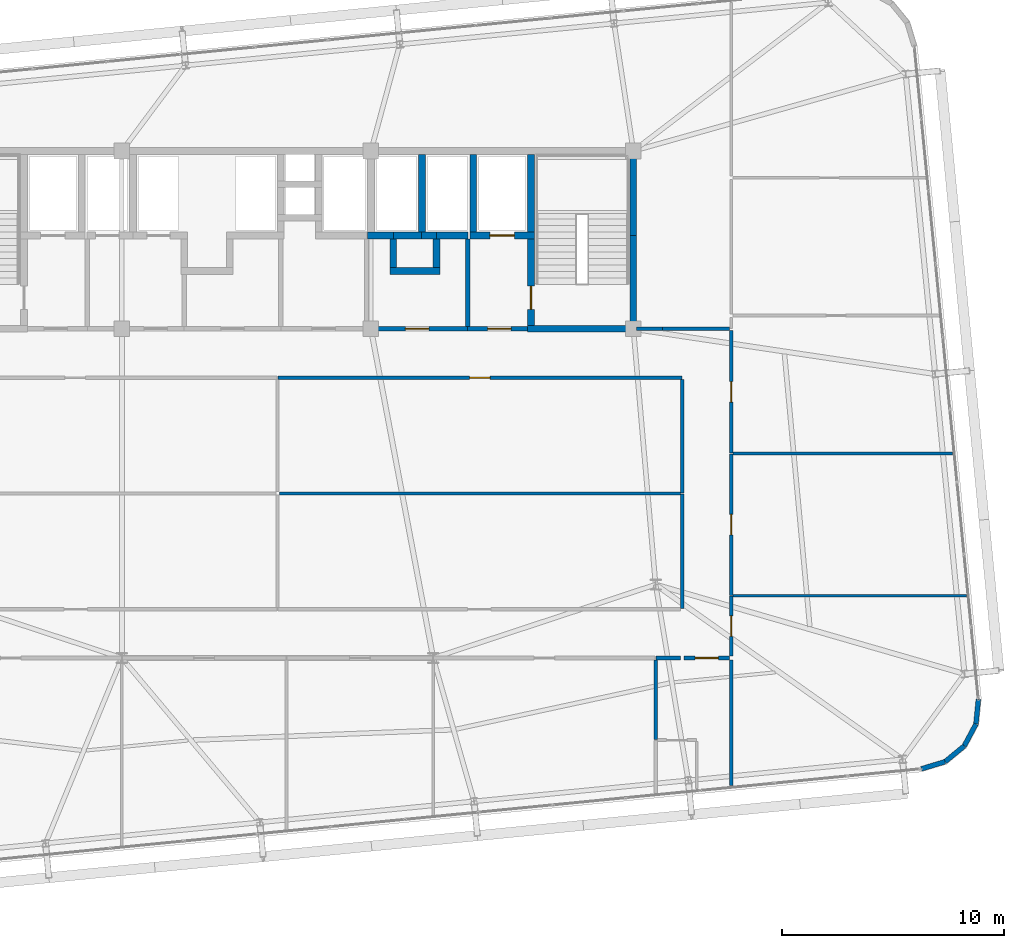
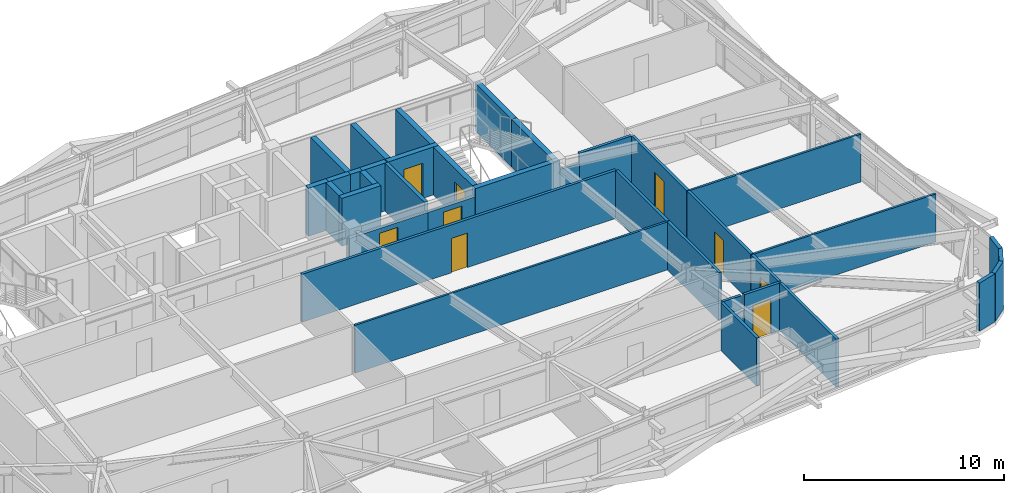
# One storey, part 48 of 52: 37 walls, 9 doors, 9 openings.
"""IFC4 building model written with IfcOpenShell, lengths in metres."""

from ifc_helpers import new_model, si_unit, direction, frame, frame_2d, origin, place, context, subcontext, project, spatial, rectangle, extrude, source, transform, mapped, material, layer, layer_set, type_object, element, fill, save


model = new_model("IFC4")

# Units and contexts
model_context = context("Model", 3, precision=1e-05, world=origin(), true_north=direction((0.0, 1.0)))
body_context = subcontext(model_context, "Body", "Model", "MODEL_VIEW")
ifc_project = project(units=[si_unit("LENGTHUNIT", "METRE"), si_unit("AREAUNIT", "SQUARE_METRE"), si_unit("VOLUMEUNIT", "CUBIC_METRE"), si_unit("PLANEANGLEUNIT", "RADIAN"), si_unit("MASSUNIT", "GRAM", prefix="KILO")], contexts=[model_context])

# Site, building, storey
site_placement = place(None, origin())
site = spatial("IfcSite", under=ifc_project, at=site_placement, CompositionType="ELEMENT")
building_placement = place(site_placement, origin())
building = spatial("IfcBuilding", under=site, at=building_placement, Name="Taldren Reach Tower", CompositionType="ELEMENT")
storey_placement = place(building_placement, frame((0.0, 0.0, 77.699951171875)))
storey = spatial("IfcBuildingStorey", under=building, at=storey_placement, Name="L23", CompositionType="ELEMENT", Elevation=77.699951171875)

# Walls
ifc_material_1 = material(Name="Pale Champagne Anodised Aluminium Cladding", Category="aluminium")
ifc_layer_1 = layer(ifc_material_1, 0.04, Name="Pale Champagne Anodised Aluminium Cladding", Category="aluminium")
ifc_material_2 = material(Name="Mineral Wool Acoustic Insulation", Category="insulation")
ifc_layer_2 = layer(ifc_material_2, 0.06, Name="Mineral Wool Acoustic Insulation", Category="insulation")
ifc_material_3 = material(Name="Steel Gr 350 (C350L0)", Category="steel")
ifc_layer_3 = layer(ifc_material_3, 0.12, Name="Steel Gr 350 (C350L0)", Category="steel")
ifc_layer_set_1 = layer_set([ifc_layer_1, ifc_layer_2, ifc_layer_3], Name="Pale Champagne Aluminium Cladding and Steel Gr 350 Stud Framing")
wall_type_1 = type_object("IfcWallType", Name="EW-CRN-220", PredefinedType="SOLIDWALL", material=ifc_layer_set_1)
shared_shape_1 = source(origin(), body_context, "Body", "SweptSolid", [
    extrude(rectangle(XDim=1.115966796875, YDim=0.219970703125, at=frame_2d((0.55810546875, 0.0))), origin(), (0.0, 0.0, 1.0), 2.929931640625),
])
for number, where, z_axis, x_axis, name in (
    (1, (65.01708984375, 4.537109375, 0.0), (0.0, 0.0, 1.0), (0.773342870285, 0.633988016432, 0.0), "Rounded-corner pale-metal facade wall L23-SE2"),
    (2, (66.406494140625, 6.228515625, 0.0), (0.0, 0.0, 1.0), (0.09844234778, 0.995142755671, 0.0), "Rounded-corner pale-metal facade wall L23-SE4"),
):
    element("IfcWall", number, at=place(storey_placement, frame(where, z_axis=z_axis, x_axis=x_axis)), inside=storey, type_object=wall_type_1, Name=name, PredefinedType="SOLIDWALL", context=body_context, shape_type="MappedRepresentation", body=[
        mapped(shared_shape_1, transform((0.0, 0.0, 0.0), scale=1.0)),
    ])
shared_shape_2 = source(origin(), body_context, "Body", "SweptSolid", [
    extrude(rectangle(XDim=1.11572265625, YDim=0.219970703125, at=frame_2d((0.557861328125, 0.0))), origin(), (0.0, 0.0, 1.0), 2.929931640625),
])
for number, where, z_axis, x_axis, name in (
    (3, (63.94921875, 4.213623046875, 0.0), (0.0, 0.0, 1.0), (0.957052003726, 0.289916301997, 0.0), "Rounded-corner pale-metal facade wall L23-SE1"),
    (4, (65.880126953125, 5.24462890625, 0.0), (0.0, 0.0, 1.0), (0.471723463201, 0.881746547635, 0.0), "Rounded-corner pale-metal facade wall L23-SE3"),
):
    element("IfcWall", number, at=place(storey_placement, frame(where, z_axis=z_axis, x_axis=x_axis)), inside=storey, type_object=wall_type_1, Name=name, PredefinedType="SOLIDWALL", context=body_context, shape_type="MappedRepresentation", body=[
        mapped(shared_shape_2, transform((0.0, 0.0, 0.0), scale=1.0)),
    ])

# Wall, opening, door
ifc_material_4 = material(Name="Fire-Rated Acoustic Plasterboard Stud Wall", Category="gypsum")
ifc_layer_4 = layer(ifc_material_4, 0.159912109375)
ifc_layer_set_2 = layer_set([ifc_layer_4], Name="Fire-Rated Acoustic Plasterboard Stud Wall")
wall_type_2 = type_object("IfcWallType", Name="IW-FIRE-160", PredefinedType="PARTITIONING", material=ifc_layer_set_2)
shared_shape_3 = source(origin(), body_context, "Body", "SweptSolid", [
    extrude(rectangle(XDim=2.0400390625, YDim=0.159912109375, at=frame_2d((1.02001953125, 0.0))), origin(), (0.0, 0.0, 1.0), 2.929931640625),
])
wall_1_placement = place(storey_placement, frame((55.320068359375, 9.199951171875, 0.0), z_axis=(0.0, 0.0, 1.0), x_axis=(-1.0, 0.0, 0.0)))
wall_1 = element("IfcWall", 5, at=wall_1_placement, inside=storey, type_object=wall_type_2, Name="Interior Partition Wall W-INT-L23-054", PredefinedType="PARTITIONING", context=body_context, shape_type="MappedRepresentation", body=[
    mapped(shared_shape_3, transform((0.0, 0.0, 0.0), scale=1.0)),
])
shared_shape_4 = source(origin(), body_context, "Body", "SweptSolid", [
    extrude(rectangle(XDim=1.050048828125, YDim=2.10009765625, at=frame_2d((0.52490234375, 1.050048828125))), frame((0.0, 0.08984375, 0.0), z_axis=(0.0, -1.0, 0.0), x_axis=(1.0, 0.0, 0.0)), (0.0, 0.0, 1.0), 0.179931640625),
])
opening_1_placement = place(wall_1_placement, frame((0.4951171875, 0.0, 0.0)))
opening_1 = element("IfcOpeningElement", 6, at=opening_1_placement, cuts=wall_1, Name="Opening DF-105", PredefinedType="OPENING", context=body_context, shape_type="MappedRepresentation", body=[
    mapped(shared_shape_4, transform((0.0, 0.0, 0.0), scale=1.0)),
])
ifc_material_5 = material(Name="Fire-Rated Care and Stair Exit Door")
door_type_1 = type_object("IfcDoorType", Name="ID-FIRE-105", OperationType="NOTDEFINED", PredefinedType="DOOR", material=ifc_material_5)
shared_shape_5 = source(origin(), body_context, "Body", "SweptSolid", [
    extrude(rectangle(XDim=1.050048828125, YDim=2.10009765625, at=frame_2d((0.52490234375, 1.050048828125))), frame((0.0, 0.02490234375, 0.0), z_axis=(0.0, -1.0, 0.0), x_axis=(1.0, 0.0, 0.0)), (0.0, 0.0, 1.0), 0.050048828125),
])
door_1_placement = place(opening_1_placement, origin())
door_1 = element("IfcDoor", 7, at=door_1_placement, inside=storey, type_object=door_type_1, Name="Interior Door DR-L23-012", OperationType="SINGLE_SWING_LEFT", OverallHeight=2.10009765625, OverallWidth=1.050048828125, PredefinedType="DOOR", context=body_context, shape_type="MappedRepresentation", body=[
    mapped(shared_shape_5, transform((0.0, 0.0, 0.0), scale=1.0)),
])
fill(opening_1, door_1)

ifc_material_6 = material(Name="Concrete S50 (50 MPa)", Category="concrete")
ifc_layer_5 = layer(ifc_material_6, 0.199951171875)
ifc_layer_set_3 = layer_set([ifc_layer_5], Name="Concrete S50 (50 MPa)")
wall_type_3 = type_object("IfcWallType", Name="IW-CORE-200", PredefinedType="SOLIDWALL", material=ifc_layer_set_3)
shared_shape_6 = source(origin(), body_context, "Body", "SweptSolid", [
    extrude(rectangle(XDim=4.550048828125, YDim=0.199951171875, at=frame_2d((2.27490234375, 0.0))), origin(), (0.0, 0.0, 1.0), 2.39697265625),
])
wall_2_placement = place(storey_placement, frame((43.550048828125, 24.0, 0.0), z_axis=(0.0, 0.0, 1.0), x_axis=(-1.0, 0.0, 0.0)))
wall_2 = element("IfcWall", 8, at=wall_2_placement, inside=storey, type_object=wall_type_3, Name="Rear Core Shear Wall W-INT-L23-046", PredefinedType="SOLIDWALL", context=body_context, shape_type="MappedRepresentation", body=[
    mapped(shared_shape_6, transform((0.0, 0.0, 0.0), scale=1.0)),
])
shared_shape_7 = source(origin(), body_context, "Body", "SweptSolid", [
    extrude(rectangle(XDim=1.050048828125, YDim=2.10009765625, at=frame_2d((0.52490234375, 1.050048828125))), frame((0.0, 0.10986328125, 0.0), z_axis=(0.0, -1.0, 0.0), x_axis=(1.0, 0.0, 0.0)), (0.0, 0.0, 1.0), 0.219970703125),
])
opening_2_placement = place(wall_2_placement, frame((1.75, 0.0, 0.0)))
opening_2 = element("IfcOpeningElement", 9, at=opening_2_placement, cuts=wall_2, Name="Opening DF-105", PredefinedType="OPENING", context=body_context, shape_type="MappedRepresentation", body=[
    mapped(shared_shape_7, transform((0.0, 0.0, 0.0), scale=1.0)),
])
door_2_placement = place(opening_2_placement, frame((1.050048828125, 0.0, 0.0), z_axis=(0.0, 0.0, 1.0), x_axis=(-1.0, 0.0, 0.0)))
door_2 = element("IfcDoor", 10, at=door_2_placement, inside=storey, type_object=door_type_1, Name="Interior Door DR-L23-008", OperationType="SINGLE_SWING_RIGHT", OverallHeight=2.10009765625, OverallWidth=1.050048828125, PredefinedType="DOOR", context=body_context, shape_type="MappedRepresentation", body=[
    mapped(shared_shape_5, transform((0.0, 0.0, 0.0), scale=1.0)),
])
fill(opening_2, door_2)

# Wall
shared_shape_8 = source(origin(), body_context, "Body", "SweptSolid", [
    extrude(rectangle(XDim=5.15966796875, YDim=0.159912109375, at=frame_2d((2.579833984375, 0.0))), origin(), (0.0, 0.0, 1.0), 2.929931640625),
])
wall_3_placement = place(storey_placement, frame((53.199951171875, 11.420166015625, 0.0), z_axis=(0.0, 0.0, 1.0), x_axis=(0.0, 1.0, 0.0)))
element("IfcWall", 11, at=wall_3_placement, inside=storey, type_object=wall_type_2, Name="Interior Partition Wall W-INT-L23-050", PredefinedType="PARTITIONING", context=body_context, shape_type="MappedRepresentation", body=[
    mapped(shared_shape_8, transform((0.0, 0.0, 0.0), scale=1.0)),
])

# Wall, opening, door
shared_shape_9 = source(origin(), body_context, "Body", "SweptSolid", [
    extrude(rectangle(XDim=18.159423828125, YDim=0.159912109375, at=frame_2d((9.07958984375, 0.0))), origin(), (0.0, 0.0, 1.0), 2.929931640625),
])
wall_4_placement = place(storey_placement, frame((53.1796875, 21.800048828125, 0.0), z_axis=(0.0, 0.0, 1.0), x_axis=(-1.0, 0.0, 0.0)))
wall_4 = element("IfcWall", 12, at=wall_4_placement, inside=storey, type_object=wall_type_2, Name="Interior Partition Wall W-INT-L23-051", PredefinedType="PARTITIONING", context=body_context, shape_type="MappedRepresentation", body=[
    mapped(shared_shape_9, transform((0.0, 0.0, 0.0), scale=1.0)),
])
shared_shape_10 = source(origin(), body_context, "Body", "SweptSolid", [
    extrude(rectangle(XDim=0.919921875, YDim=2.10009765625, at=frame_2d((0.4599609375, 1.050048828125))), frame((0.0, 0.08984375, 0.0), z_axis=(0.0, -1.0, 0.0), x_axis=(1.0, 0.0, 0.0)), (0.0, 0.0, 1.0), 0.179931640625),
])
opening_3_placement = place(wall_4_placement, frame((8.619873046875, 0.0, 0.0)))
opening_3 = element("IfcOpeningElement", 13, at=opening_3_placement, cuts=wall_4, Name="Opening DI-092", PredefinedType="OPENING", context=body_context, shape_type="MappedRepresentation", body=[
    mapped(shared_shape_10, transform((0.0, 0.0, 0.0), scale=1.0)),
])
ifc_material_7 = material(Name="Solid-Core Timber Suite Door", Category="wood")
door_type_2 = type_object("IfcDoorType", Name="ID-INT-092", OperationType="NOTDEFINED", PredefinedType="DOOR", material=ifc_material_7)
shared_shape_11 = source(origin(), body_context, "Body", "SweptSolid", [
    extrude(rectangle(XDim=0.919921875, YDim=2.10009765625, at=frame_2d((0.4599609375, 1.050048828125))), frame((0.0, 0.02490234375, 0.0), z_axis=(0.0, -1.0, 0.0), x_axis=(1.0, 0.0, 0.0)), (0.0, 0.0, 1.0), 0.050048828125),
])
door_3_placement = place(opening_3_placement, origin())
door_3 = element("IfcDoor", 14, at=door_3_placement, inside=storey, type_object=door_type_2, Name="Interior Door DR-L23-010", OperationType="SINGLE_SWING_LEFT", OverallHeight=2.10009765625, OverallWidth=0.919921875, PredefinedType="DOOR", context=body_context, shape_type="MappedRepresentation", body=[
    mapped(shared_shape_11, transform((0.0, 0.0, 0.0), scale=1.0)),
])
fill(opening_3, door_3)

# Walls
shared_shape_12 = source(origin(), body_context, "Body", "SweptSolid", [
    extrude(rectangle(XDim=5.099853515625, YDim=0.159912109375, at=frame_2d((2.5498046875, 0.0))), origin(), (0.0, 0.0, 1.0), 2.929931640625),
])
wall_5_placement = place(storey_placement, frame((53.199951171875, 16.6201171875, 0.0), z_axis=(0.0, 0.0, 1.0), x_axis=(0.0, 1.0, 0.0)))
element("IfcWall", 15, at=wall_5_placement, inside=storey, type_object=wall_type_2, Name="Interior Partition Wall W-INT-L23-052", PredefinedType="PARTITIONING", context=body_context, shape_type="MappedRepresentation", body=[
    mapped(shared_shape_12, transform((0.0, 0.0, 0.0), scale=1.0)),
])
shared_shape_13 = source(origin(), body_context, "Body", "SweptSolid", [
    extrude(rectangle(XDim=1.099853515625, YDim=0.159912109375, at=frame_2d((0.5498046875, 0.0))), origin(), (0.0, 0.0, 1.0), 2.929931640625),
])
wall_6_placement = place(storey_placement, frame((53.1201171875, 9.199951171875, 0.0), z_axis=(0.0, 0.0, 1.0), x_axis=(-1.0, 0.0, 0.0)))
element("IfcWall", 16, at=wall_6_placement, inside=storey, type_object=wall_type_2, Name="Interior Partition Wall W-INT-L23-069", PredefinedType="PARTITIONING", context=body_context, shape_type="MappedRepresentation", body=[
    mapped(shared_shape_13, transform((0.0, 0.0, 0.0), scale=1.0)),
])
ifc_material_8 = material(Name="Insulated Residential Stud Partition", Category="gypsum")
ifc_layer_6 = layer(ifc_material_8, 0.1201171875)
ifc_layer_set_4 = layer_set([ifc_layer_6], Name="Insulated Residential Stud Partition")
wall_type_4 = type_object("IfcWallType", Name="IW-PART-120", PredefinedType="PARTITIONING", material=ifc_layer_set_4)
shared_shape_14 = source(origin(), body_context, "Body", "SweptSolid", [
    extrude(rectangle(XDim=18.0400390625, YDim=0.1201171875, at=frame_2d((9.02001953125, 0.0))), origin(), (0.0, 0.0, 1.0), 2.929931640625),
])
wall_7_placement = place(storey_placement, frame((35.080078125, 16.60009765625, 0.0), z_axis=(0.0, 0.0, 1.0), x_axis=(1.0, 0.0, 0.0)))
element("IfcWall", 17, at=wall_7_placement, inside=storey, type_object=wall_type_4, Name="Interior Partition Wall W-INT-L23-073", PredefinedType="PARTITIONING", context=body_context, shape_type="MappedRepresentation", body=[
    mapped(shared_shape_14, transform((0.0, 0.0, 0.0), scale=1.0)),
])

# Wall, opening, door
shared_shape_15 = source(origin(), body_context, "Body", "SweptSolid", [
    extrude(rectangle(XDim=5.499755859375, YDim=0.159912109375, at=frame_2d((2.75, 0.0))), origin(), (0.0, 0.0, 1.0), 2.929931640625),
])
wall_8_placement = place(storey_placement, frame((55.39990234375, 23.919921875, 0.0), z_axis=(0.0, 0.0, 1.0), x_axis=(0.0, -1.0, 0.0)))
wall_8 = element("IfcWall", 18, at=wall_8_placement, inside=storey, type_object=wall_type_2, Name="Interior Partition Wall W-INT-L23-059", PredefinedType="PARTITIONING", context=body_context, shape_type="MappedRepresentation", body=[
    mapped(shared_shape_15, transform((0.0, 0.0, 0.0), scale=1.0)),
])
opening_4_placement = place(wall_8_placement, frame((2.289794921875, 0.0, 0.0)))
opening_4 = element("IfcOpeningElement", 19, at=opening_4_placement, cuts=wall_8, Name="Opening DI-092", PredefinedType="OPENING", context=body_context, shape_type="MappedRepresentation", body=[
    mapped(shared_shape_10, transform((0.0, 0.0, 0.0), scale=1.0)),
])
door_4_placement = place(opening_4_placement, origin())
door_4 = element("IfcDoor", 20, at=door_4_placement, inside=storey, type_object=door_type_2, Name="Interior Door DR-L23-017", OperationType="SINGLE_SWING_RIGHT", OverallHeight=2.10009765625, OverallWidth=0.919921875, PredefinedType="DOOR", context=body_context, shape_type="MappedRepresentation", body=[
    mapped(shared_shape_11, transform((0.0, 0.0, 0.0), scale=1.0)),
])
fill(opening_4, door_4)

shared_shape_16 = source(origin(), body_context, "Body", "SweptSolid", [
    extrude(rectangle(XDim=6.359619140625, YDim=0.159912109375, at=frame_2d((3.1796875, 0.0))), origin(), (0.0, 0.0, 1.0), 2.929931640625),
])
wall_9_placement = place(storey_placement, frame((55.39990234375, 18.3798828125, 0.0), z_axis=(0.0, 0.0, 1.0), x_axis=(0.0, -1.0, 0.0)))
wall_9 = element("IfcWall", 21, at=wall_9_placement, inside=storey, type_object=wall_type_2, Name="Interior Partition Wall W-INT-L23-058", PredefinedType="PARTITIONING", context=body_context, shape_type="MappedRepresentation", body=[
    mapped(shared_shape_16, transform((0.0, 0.0, 0.0), scale=1.0)),
])
opening_5_placement = place(wall_9_placement, frame((2.7197265625, 0.0, 0.0)))
opening_5 = element("IfcOpeningElement", 22, at=opening_5_placement, cuts=wall_9, Name="Opening DI-092", PredefinedType="OPENING", context=body_context, shape_type="MappedRepresentation", body=[
    mapped(shared_shape_10, transform((0.0, 0.0, 0.0), scale=1.0)),
])
door_5_placement = place(opening_5_placement, origin())
door_5 = element("IfcDoor", 23, at=door_5_placement, inside=storey, type_object=door_type_2, Name="Interior Door DR-L23-016", OperationType="SINGLE_SWING_LEFT", OverallHeight=2.10009765625, OverallWidth=0.919921875, PredefinedType="DOOR", context=body_context, shape_type="MappedRepresentation", body=[
    mapped(shared_shape_11, transform((0.0, 0.0, 0.0), scale=1.0)),
])
fill(opening_5, door_5)

# Walls
ifc_material_9 = material(Name="Concrete S65 (65 MPa)", Category="concrete")
ifc_layer_7 = layer(ifc_material_9, 0.300048828125)
ifc_layer_set_5 = layer_set([ifc_layer_7], Name="Concrete S65 (65 MPa)")
wall_type_5 = type_object("IfcWallType", Name="IW-CORE-300", PredefinedType="SHEAR", material=ifc_layer_set_5)
shared_shape_17 = source(origin(), body_context, "Body", "SweptSolid", [
    extrude(rectangle(XDim=4.050048828125, YDim=0.300048828125, at=frame_2d((2.02490234375, 0.0))), origin(), (0.0, 0.0, 1.0), 2.929931640625),
])
wall_10_placement = place(storey_placement, frame((51.0, 24.14990234375, 0.0), z_axis=(0.0, 0.0, 1.0), x_axis=(0.0, 1.0, 0.0)))
element("IfcWall", 24, at=wall_10_placement, inside=storey, type_object=wall_type_5, Name="Rear Core Shear Wall W-CORE-L23-EAST1", PredefinedType="SHEAR", context=body_context, shape_type="MappedRepresentation", body=[
    mapped(shared_shape_17, transform((0.0, 0.0, 0.0), scale=1.0)),
])
shared_shape_18 = source(origin(), body_context, "Body", "SweptSolid", [
    extrude(rectangle(XDim=3.650146484375, YDim=0.300048828125, at=frame_2d((1.8251953125, 0.0))), origin(), (0.0, 0.0, 1.0), 2.929931640625),
])
wall_11_placement = place(storey_placement, frame((51.0, 28.199951171875, 0.0), z_axis=(0.0, 0.0, 1.0), x_axis=(0.0, 1.0, 0.0)))
element("IfcWall", 25, at=wall_11_placement, inside=storey, type_object=wall_type_5, Name="Rear Core Shear Wall W-CORE-L23-EAST2", PredefinedType="SHEAR", context=body_context, shape_type="MappedRepresentation", body=[
    mapped(shared_shape_18, transform((0.0, 0.0, 0.0), scale=1.0)),
])
shared_shape_19 = source(origin(), body_context, "Body", "SweptSolid", [
    extrude(rectangle(XDim=3.5, YDim=0.300048828125, at=frame_2d((1.75, 0.0))), origin(), (0.0, 0.0, 1.0), 2.929931640625),
])
for number, where, z_axis, x_axis, name in (
    (26, (46.39990234375, 31.85009765625, 0.0), (0.0, 0.0, 1.0), (0.0, -1.0, 0.0), "Rear Core Shear Wall W-INT-L23-008"),
    (27, (43.800048828125, 31.85009765625, 0.0), (0.0, 0.0, 1.0), (0.0, -1.0, 0.0), "Rear Core Shear Wall W-INT-L23-012"),
    (28, (41.5, 28.35009765625, 0.0), (0.0, 0.0, 1.0), (0.0, 1.0, 0.0), "Rear Core Shear Wall W-INT-L23-039"),
):
    element("IfcWall", number, at=place(storey_placement, frame(where, z_axis=z_axis, x_axis=x_axis)), inside=storey, type_object=wall_type_5, Name=name, PredefinedType="SHEAR", context=body_context, shape_type="MappedRepresentation", body=[
        mapped(shared_shape_19, transform((0.0, 0.0, 0.0), scale=1.0)),
    ])

# Wall, opening, door
shared_shape_20 = source(origin(), body_context, "Body", "SweptSolid", [
    extrude(rectangle(XDim=3.900146484375, YDim=0.300048828125, at=frame_2d((1.9501953125, 0.0))), origin(), (0.0, 0.0, 1.0), 2.929931640625),
])
wall_12_placement = place(storey_placement, frame((46.39990234375, 28.050048828125, 0.0), z_axis=(0.0, 0.0, 1.0), x_axis=(0.0, -1.0, 0.0)))
wall_12 = element("IfcWall", 29, at=wall_12_placement, inside=storey, type_object=wall_type_5, Name="Rear Core Shear Wall W-INT-L23-009", PredefinedType="SHEAR", context=body_context, shape_type="MappedRepresentation", body=[
    mapped(shared_shape_20, transform((0.0, 0.0, 0.0), scale=1.0)),
])
shared_shape_21 = source(origin(), body_context, "Body", "SweptSolid", [
    extrude(rectangle(XDim=1.050048828125, YDim=2.10009765625, at=frame_2d((0.52490234375, 1.050048828125))), frame((0.0, 0.16015625, 0.0), z_axis=(0.0, -1.0, 0.0), x_axis=(1.0, 0.0, 0.0)), (0.0, 0.0, 1.0), 0.320068359375),
])
opening_6_placement = place(wall_12_placement, frame((2.125, 0.0, 0.0)))
opening_6 = element("IfcOpeningElement", 30, at=opening_6_placement, cuts=wall_12, Name="Opening DF-105", PredefinedType="OPENING", context=body_context, shape_type="MappedRepresentation", body=[
    mapped(shared_shape_21, transform((0.0, 0.0, 0.0), scale=1.0)),
])
door_6_placement = place(opening_6_placement, origin())
door_6 = element("IfcDoor", 31, at=door_6_placement, inside=storey, type_object=door_type_1, Name="Fire Exit Stair Door DR-L23-003", OperationType="SINGLE_SWING_RIGHT", OverallHeight=2.10009765625, OverallWidth=1.050048828125, PredefinedType="DOOR", context=body_context, shape_type="MappedRepresentation", body=[
    mapped(shared_shape_5, transform((0.0, 0.0, 0.0), scale=1.0)),
])
fill(opening_6, door_6)

# Wall
shared_shape_22 = source(origin(), body_context, "Body", "SweptSolid", [
    extrude(rectangle(XDim=4.89990234375, YDim=0.300048828125, at=frame_2d((2.449951171875, 0.0))), origin(), (0.0, 0.0, 1.0), 2.929931640625),
])
wall_13_placement = place(storey_placement, frame((46.25, 24.0, 0.0), z_axis=(0.0, 0.0, 1.0), x_axis=(1.0, 0.0, 0.0)))
element("IfcWall", 32, at=wall_13_placement, inside=storey, type_object=wall_type_5, Name="Rear Core Shear Wall W-INT-L23-010", PredefinedType="SHEAR", context=body_context, shape_type="MappedRepresentation", body=[
    mapped(shared_shape_22, transform((0.0, 0.0, 0.0), scale=1.0)),
])

# Wall, opening, door
shared_shape_23 = source(origin(), body_context, "Body", "SweptSolid", [
    extrude(rectangle(XDim=2.900146484375, YDim=0.300048828125, at=frame_2d((1.4501953125, 0.0))), origin(), (0.0, 0.0, 1.0), 2.929931640625),
])
wall_14_placement = place(storey_placement, frame((43.64990234375, 28.199951171875, 0.0), z_axis=(0.0, 0.0, 1.0), x_axis=(1.0, 0.0, 0.0)))
wall_14 = element("IfcWall", 33, at=wall_14_placement, inside=storey, type_object=wall_type_5, Name="Rear Core Shear Wall W-INT-L23-011", PredefinedType="SHEAR", context=body_context, shape_type="MappedRepresentation", body=[
    mapped(shared_shape_23, transform((0.0, 0.0, 0.0), scale=1.0)),
])
shared_shape_24 = source(origin(), body_context, "Body", "SweptSolid", [
    extrude(rectangle(XDim=1.10009765625, YDim=2.14990234375, at=frame_2d((0.550048828125, 1.074951171875))), frame((0.0, 0.16015625, 0.0), z_axis=(0.0, -1.0, 0.0), x_axis=(1.0, 0.0, 0.0)), (0.0, 0.0, 1.0), 0.320068359375),
])
opening_7_placement = place(wall_14_placement, frame((0.89990234375, 0.0, 0.0)))
opening_7 = element("IfcOpeningElement", 34, at=opening_7_placement, cuts=wall_14, Name="Opening LD-FL2", PredefinedType="OPENING", context=body_context, shape_type="MappedRepresentation", body=[
    mapped(shared_shape_24, transform((0.0, 0.0, 0.0), scale=1.0)),
])
ifc_material_10 = material(Name="Stainless Steel Gr 316 Emergency Lift Landing Door", Category="steel")
door_type_3 = type_object("IfcDoorType", Name="LD-EMG-110", OperationType="SLIDING_TO_LEFT", PredefinedType="DOOR", material=ifc_material_10)
shared_shape_25 = source(origin(), body_context, "Body", "SweptSolid", [
    extrude(rectangle(XDim=1.10009765625, YDim=2.14990234375, at=frame_2d((0.550048828125, 1.074951171875))), frame((0.0, 0.02490234375, 0.0), z_axis=(0.0, -1.0, 0.0), x_axis=(1.0, 0.0, 0.0)), (0.0, 0.0, 1.0), 0.050048828125),
])
door_7_placement = place(opening_7_placement, origin())
door_7 = element("IfcDoor", 35, at=door_7_placement, inside=storey, type_object=door_type_3, Name="Lift Landing Door LD-FL2-L23", OperationType="SLIDING_TO_LEFT", OverallHeight=2.14990234375, OverallWidth=1.10009765625, PredefinedType="DOOR", context=body_context, shape_type="MappedRepresentation", body=[
    mapped(shared_shape_25, transform((0.0, 0.0, 0.0), scale=1.0)),
])
fill(opening_7, door_7)

# Wall
shared_shape_26 = source(origin(), body_context, "Body", "SweptSolid", [
    extrude(rectangle(XDim=3.949951171875, YDim=0.199951171875, at=frame_2d((1.97509765625, 0.0))), origin(), (0.0, 0.0, 1.0), 2.929931640625),
])
wall_15_placement = place(storey_placement, frame((43.550048828125, 28.050048828125, 0.0), z_axis=(0.0, 0.0, 1.0), x_axis=(0.0, -1.0, 0.0)))
element("IfcWall", 36, at=wall_15_placement, inside=storey, type_object=wall_type_3, Name="Rear Core Shear Wall W-INT-L23-013", PredefinedType="SOLIDWALL", context=body_context, shape_type="MappedRepresentation", body=[
    mapped(shared_shape_26, transform((0.0, 0.0, 0.0), scale=1.0)),
])

# Wall, opening, door
shared_shape_27 = source(origin(), body_context, "Body", "SweptSolid", [
    extrude(rectangle(XDim=2.699951171875, YDim=0.199951171875, at=frame_2d((1.35009765625, 0.0))), origin(), (0.0, 0.0, 1.0), 2.39697265625),
])
wall_16_placement = place(storey_placement, frame((43.550048828125, 24.0, 0.0), z_axis=(0.0, 0.0, 1.0), x_axis=(1.0, 0.0, 0.0)))
wall_16 = element("IfcWall", 37, at=wall_16_placement, inside=storey, type_object=wall_type_3, Name="Rear Core Shear Wall W-INT-L23-014", PredefinedType="SOLIDWALL", context=body_context, shape_type="MappedRepresentation", body=[
    mapped(shared_shape_27, transform((0.0, 0.0, 0.0), scale=1.0)),
])
opening_8_placement = place(wall_16_placement, frame((0.89990234375, 0.0, 0.0)))
opening_8 = element("IfcOpeningElement", 38, at=opening_8_placement, cuts=wall_16, Name="Opening DF-105", PredefinedType="OPENING", context=body_context, shape_type="MappedRepresentation", body=[
    mapped(shared_shape_7, transform((0.0, 0.0, 0.0), scale=1.0)),
])
door_8_placement = place(opening_8_placement, origin())
door_8 = element("IfcDoor", 39, at=door_8_placement, inside=storey, type_object=door_type_1, Name="Interior Door DR-L23-004", OperationType="SINGLE_SWING_LEFT", OverallHeight=2.10009765625, OverallWidth=1.050048828125, PredefinedType="DOOR", context=body_context, shape_type="MappedRepresentation", body=[
    mapped(shared_shape_5, transform((0.0, 0.0, 0.0), scale=1.0)),
])
fill(opening_8, door_8)

# Walls
shared_shape_28 = source(origin(), body_context, "Body", "SweptSolid", [
    extrude(rectangle(XDim=1.300048828125, YDim=0.300048828125, at=frame_2d((0.64990234375, 0.0))), origin(), (0.0, 0.0, 1.0), 2.929931640625),
])
for number, where, z_axis, x_axis, name in (
    (40, (40.199951171875, 28.050048828125, 0.0), (0.0, 0.0, 1.0), (0.0, -1.0, 0.0), "Rear Core Shear Wall W-INT-L23-027"),
    (41, (42.14990234375, 26.75, 0.0), (0.0, 0.0, 1.0), (0.0, 1.0, 0.0), "Rear Core Shear Wall W-INT-L23-028"),
):
    element("IfcWall", number, at=place(storey_placement, frame(where, z_axis=z_axis, x_axis=x_axis)), inside=storey, type_object=wall_type_5, Name=name, PredefinedType="SHEAR", context=body_context, shape_type="MappedRepresentation", body=[
        mapped(shared_shape_28, transform((0.0, 0.0, 0.0), scale=1.0)),
    ])
shared_shape_29 = source(origin(), body_context, "Body", "SweptSolid", [
    extrude(rectangle(XDim=1.320068359375, YDim=0.300048828125, at=frame_2d((0.66015625, 0.0))), origin(), (0.0, 0.0, 1.0), 2.929931640625),
])
wall_17_placement = place(storey_placement, frame((41.52001953125, 28.199951171875, 0.0), z_axis=(0.0, 0.0, 1.0), x_axis=(-1.0, 0.0, 0.0)))
element("IfcWall", 42, at=wall_17_placement, inside=storey, type_object=wall_type_5, Name="Rear Core Shear Wall W-INT-L23-024", PredefinedType="SHEAR", context=body_context, shape_type="MappedRepresentation", body=[
    mapped(shared_shape_29, transform((0.0, 0.0, 0.0), scale=1.0)),
])
shared_shape_30 = source(origin(), body_context, "Body", "SweptSolid", [
    extrude(rectangle(XDim=0.669921875, YDim=0.300048828125, at=frame_2d((0.3349609375, 0.0))), origin(), (0.0, 0.0, 1.0), 2.929931640625),
])
wall_18_placement = place(storey_placement, frame((42.14990234375, 28.199951171875, 0.0), z_axis=(0.0, 0.0, 1.0), x_axis=(-1.0, 0.0, 0.0)))
element("IfcWall", 43, at=wall_18_placement, inside=storey, type_object=wall_type_5, Name="Rear Core Shear Wall W-INT-L23-025", PredefinedType="SHEAR", context=body_context, shape_type="MappedRepresentation", body=[
    mapped(shared_shape_30, transform((0.0, 0.0, 0.0), scale=1.0)),
])
shared_shape_31 = source(origin(), body_context, "Body", "SweptSolid", [
    extrude(rectangle(XDim=1.440185546875, YDim=0.300048828125, at=frame_2d((0.72021484375, 0.0))), origin(), (0.0, 0.0, 1.0), 2.929931640625),
])
wall_19_placement = place(storey_placement, frame((42.1298828125, 28.199951171875, 0.0), z_axis=(0.0, 0.0, 1.0), x_axis=(1.0, 0.0, 0.0)))
element("IfcWall", 44, at=wall_19_placement, inside=storey, type_object=wall_type_5, Name="Rear Core Shear Wall W-INT-L23-041", PredefinedType="SHEAR", context=body_context, shape_type="MappedRepresentation", body=[
    mapped(shared_shape_31, transform((0.0, 0.0, 0.0), scale=1.0)),
])
shared_shape_32 = source(origin(), body_context, "Body", "SweptSolid", [
    extrude(rectangle(XDim=3.015625, YDim=0.159912109375, at=frame_2d((1.5078125, 0.0))), origin(), (0.0, 0.0, 1.0), 2.929931640625),
])
wall_20_placement = place(storey_placement, frame((52.304443359375, 24.0, 0.0), z_axis=(0.0, 0.0, 1.0), x_axis=(1.0, 0.0, 0.0)))
element("IfcWall", 45, at=wall_20_placement, inside=storey, type_object=wall_type_2, Name="Interior Partition Wall W-INT-L23-061 part 2", PredefinedType="PARTITIONING", context=body_context, shape_type="MappedRepresentation", body=[
    mapped(shared_shape_32, transform((0.0, 0.0, 0.0), scale=1.0)),
])
shared_shape_33 = source(origin(), body_context, "Body", "SweptSolid", [
    extrude(rectangle(XDim=2.25, YDim=0.300048828125, at=frame_2d((1.125, 0.0))), origin(), (0.0, 0.0, 1.0), 2.929931640625),
])
wall_21_placement = place(storey_placement, frame((40.050048828125, 26.60009765625, 0.0), z_axis=(0.0, 0.0, 1.0), x_axis=(1.0, 0.0, 0.0)))
element("IfcWall", 46, at=wall_21_placement, inside=storey, type_object=wall_type_5, Name="Rear Core Shear Wall W-INT-L23-026", PredefinedType="SHEAR", context=body_context, shape_type="MappedRepresentation", body=[
    mapped(shared_shape_33, transform((0.0, 0.0, 0.0), scale=1.0)),
])
shared_shape_34 = source(origin(), body_context, "Body", "SweptSolid", [
    extrude(rectangle(XDim=5.657958984375, YDim=0.159912109375, at=frame_2d((2.8291015625, 0.0))), origin(), (0.0, 0.0, 1.0), 2.929931640625),
])
wall_22_placement = place(storey_placement, frame((55.39990234375, 9.117919921875, 0.0), z_axis=(0.0, 0.0, 1.0), x_axis=(0.0, -1.0, 0.0)))
element("IfcWall", 47, at=wall_22_placement, inside=storey, type_object=wall_type_2, Name="Interior Partition Wall W-INT-L23-088", PredefinedType="PARTITIONING", context=body_context, shape_type="MappedRepresentation", body=[
    mapped(shared_shape_34, transform((0.0, 0.0, 0.0), scale=1.0)),
])
shared_shape_35 = source(origin(), body_context, "Body", "SweptSolid", [
    extrude(rectangle(XDim=1.154541015625, YDim=0.159912109375, at=frame_2d((0.5771484375, 0.0))), origin(), (0.0, 0.0, 1.0), 2.328125),
])
wall_23_placement = place(storey_placement, frame((51.14990234375, 24.0, 0.0), z_axis=(0.0, 0.0, 1.0), x_axis=(1.0, 0.0, 0.0)))
element("IfcWall", 48, at=wall_23_placement, inside=storey, type_object=wall_type_2, Name="Interior Partition Wall W-INT-L23-061", PredefinedType="PARTITIONING", context=body_context, shape_type="MappedRepresentation", body=[
    mapped(shared_shape_35, transform((0.0, 0.0, 0.0), scale=1.0)),
])
shared_shape_36 = source(origin(), body_context, "Body", "SweptSolid", [
    extrude(rectangle(XDim=1.169921875, YDim=0.300048828125, at=frame_2d((0.5849609375, 0.0))), origin(), (0.0, 0.0, 1.0), 2.929931640625),
])
wall_24_placement = place(storey_placement, frame((39.050048828125, 28.199951171875, 0.0), z_axis=(0.0, 0.0, 1.0), x_axis=(1.0, 0.0, 0.0)))
element("IfcWall", 49, at=wall_24_placement, inside=storey, type_object=wall_type_5, Name="Rear Core Shear Wall W-INT-L23-040", PredefinedType="SHEAR", context=body_context, shape_type="MappedRepresentation", body=[
    mapped(shared_shape_36, transform((0.0, 0.0, 0.0), scale=1.0)),
])

# Wall, opening, door
shared_shape_37 = source(origin(), body_context, "Body", "SweptSolid", [
    extrude(rectangle(XDim=2.69970703125, YDim=0.159912109375, at=frame_2d((1.349853515625, 0.0))), origin(), (0.0, 0.0, 1.0), 2.929931640625),
])
wall_25_placement = place(storey_placement, frame((55.39990234375, 11.979736328125, 0.0), z_axis=(0.0, 0.0, 1.0), x_axis=(0.0, -1.0, 0.0)))
wall_25 = element("IfcWall", 50, at=wall_25_placement, inside=storey, type_object=wall_type_2, Name="Interior Partition Wall W-INT-L23-057", PredefinedType="PARTITIONING", context=body_context, shape_type="MappedRepresentation", body=[
    mapped(shared_shape_37, transform((0.0, 0.0, 0.0), scale=1.0)),
])
opening_9_placement = place(wall_25_placement, frame((0.889892578125, 0.0, 0.0)))
opening_9 = element("IfcOpeningElement", 51, at=opening_9_placement, cuts=wall_25, Name="Opening DI-092", PredefinedType="OPENING", context=body_context, shape_type="MappedRepresentation", body=[
    mapped(shared_shape_10, transform((0.0, 0.0, 0.0), scale=1.0)),
])
door_9_placement = place(opening_9_placement, origin())
door_9 = element("IfcDoor", 52, at=door_9_placement, inside=storey, type_object=door_type_2, Name="Interior Door DR-L23-015", OperationType="SINGLE_SWING_RIGHT", OverallHeight=2.10009765625, OverallWidth=0.919921875, PredefinedType="DOOR", context=body_context, shape_type="MappedRepresentation", body=[
    mapped(shared_shape_11, transform((0.0, 0.0, 0.0), scale=1.0)),
])
fill(opening_9, door_9)

# Walls
shared_shape_38 = source(origin(), body_context, "Body", "SweptSolid", [
    extrude(rectangle(XDim=3.589599609375, YDim=0.159912109375, at=frame_2d((1.794921875, 0.0))), origin(), (0.0, 0.0, 1.0), 2.929931640625),
])
wall_26_placement = place(storey_placement, frame((52.0, 9.1201171875, 0.0), z_axis=(0.0, 0.0, 1.0), x_axis=(0.0, -1.0, 0.0)))
element("IfcWall", 53, at=wall_26_placement, inside=storey, type_object=wall_type_2, Name="Interior Partition Wall W-INT-L23-084", PredefinedType="PARTITIONING", context=body_context, shape_type="MappedRepresentation", body=[
    mapped(shared_shape_38, transform((0.0, 0.0, 0.0), scale=1.0)),
])
shared_shape_39 = source(origin(), body_context, "Body", "SweptSolid", [
    extrude(rectangle(XDim=10.496826171875, YDim=0.1201171875, at=frame_2d((5.24853515625, 0.0))), origin(), (0.0, 0.0, 1.0), 2.929931640625),
])
wall_27_placement = place(storey_placement, frame((55.47998046875, 12.0, 0.0), z_axis=(0.0, 0.0, 1.0), x_axis=(1.0, 0.0, 0.0)))
element("IfcWall", 54, at=wall_27_placement, inside=storey, type_object=wall_type_4, Name="Interior Partition Wall W-INT-L23-093", PredefinedType="PARTITIONING", context=body_context, shape_type="MappedRepresentation", body=[
    mapped(shared_shape_39, transform((0.0, 0.0, 0.0), scale=1.0)),
])
shared_shape_40 = source(origin(), body_context, "Body", "SweptSolid", [
    extrude(rectangle(XDim=9.869384765625, YDim=0.1201171875, at=frame_2d((4.9345703125, 0.0))), origin(), (0.0, 0.0, 1.0), 2.929931640625),
])
wall_28_placement = place(storey_placement, frame((55.47998046875, 18.39990234375, 0.0), z_axis=(0.0, 0.0, 1.0), x_axis=(1.0, 0.0, 0.0)))
element("IfcWall", 55, at=wall_28_placement, inside=storey, type_object=wall_type_4, Name="Interior Partition Wall W-INT-L23-094", PredefinedType="PARTITIONING", context=body_context, shape_type="MappedRepresentation", body=[
    mapped(shared_shape_40, transform((0.0, 0.0, 0.0), scale=1.0)),
])

save(model, "model.ifc")
